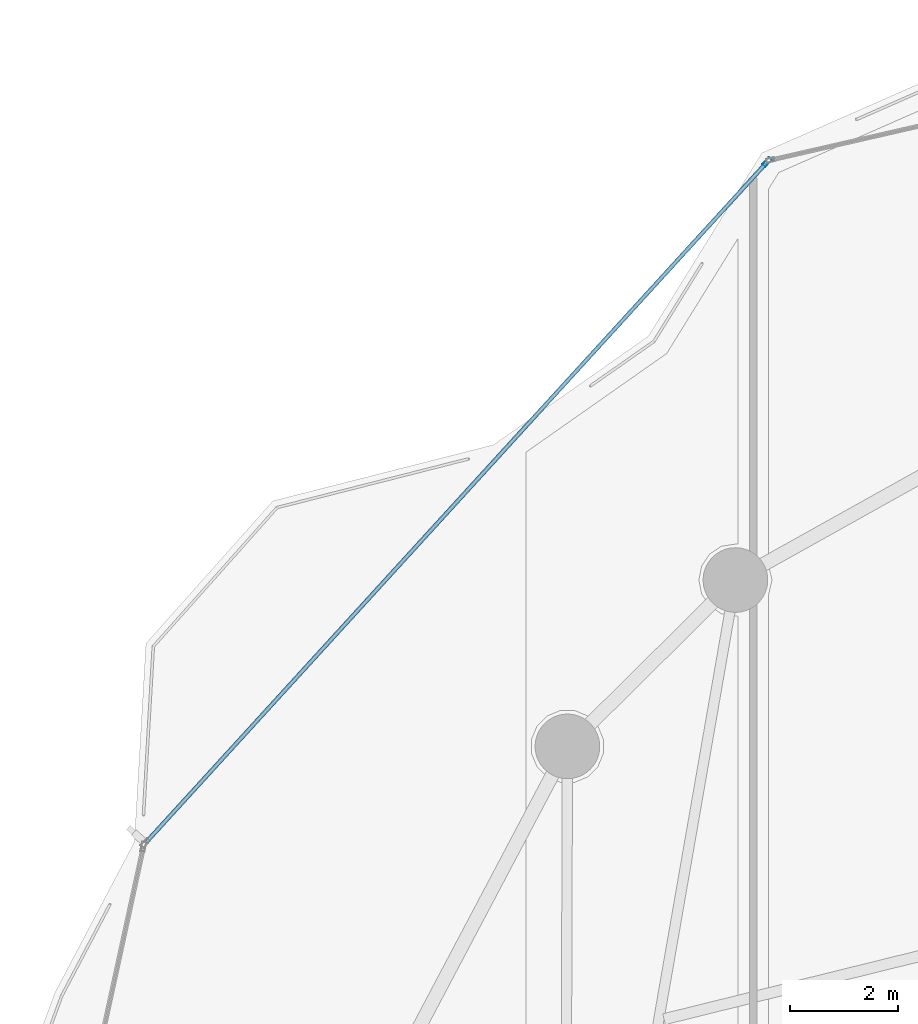
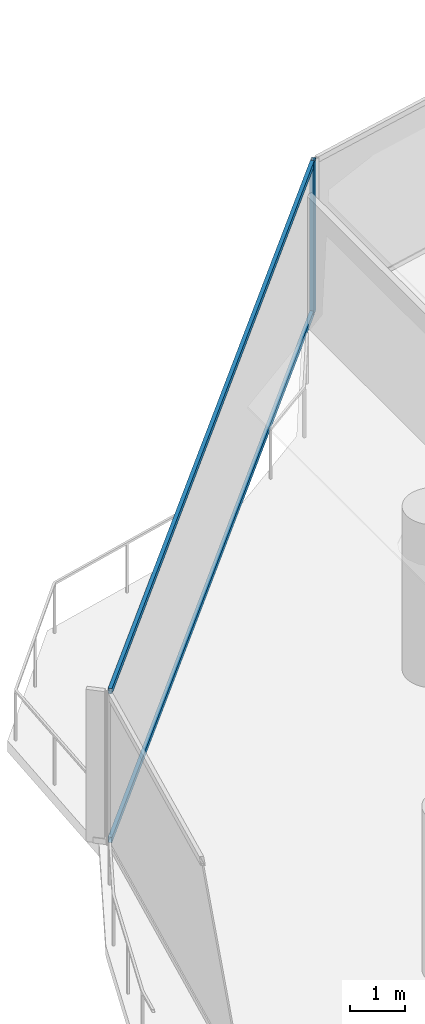
# One storey, part 18 of 34: 3 members, 1 element without a shape of its own.
"""IFC4 building model written with IfcOpenShell, lengths in metres."""

from ifc_helpers import new_model, si_unit, direction, frame, origin, origin_2d, place, context, subcontext, project, spatial, hollow_rectangle, extrude, material, layer, layer_set, material_profile, profile_set, type_object, element, aggregate, save


model = new_model("IFC4")

# Units and contexts
model_context = context("Model", 3, precision=1e-05, world=origin(), true_north=direction((0.0, 1.0)))
body_context = subcontext(model_context, "Body", "Model", "MODEL_VIEW")
ifc_project = project(units=[si_unit("LENGTHUNIT", "METRE"), si_unit("AREAUNIT", "SQUARE_METRE"), si_unit("VOLUMEUNIT", "CUBIC_METRE"), si_unit("PLANEANGLEUNIT", "RADIAN"), si_unit("MASSUNIT", "GRAM", prefix="KILO")], contexts=[model_context])

# Site, building, storey
site_placement = place(None, origin())
site = spatial("IfcSite", under=ifc_project, at=site_placement, CompositionType="ELEMENT")
building_placement = place(site_placement, origin())
building = spatial("IfcBuilding", under=site, at=building_placement, Name="Kazevale Care Tower and Concert Hall", CompositionType="ELEMENT")
storey_placement = place(building_placement, frame((0.0, 0.0, 171.0)))
storey = spatial("IfcBuildingStorey", under=building, at=storey_placement, Name="L45", CompositionType="ELEMENT", Elevation=171.0)

# Curtain wall, members
ifc_material_1 = material(Name="Aluminium 6063-T6 and Low-E Glass", Category="aluminium")
ifc_layer = layer(ifc_material_1, 0.179931640625)
ifc_layer_set = layer_set([ifc_layer], Name="Aluminium 6063-T6 and Low-E Glass")
curtain_wall_type = type_object("IfcCurtainWallType", Name="Convex Checkerboard Finned Curtain Wall CW-2", PredefinedType="NOTDEFINED", material=ifc_layer_set)
curtain_wall_placement = place(storey_placement, origin())
curtain_wall = element("IfcCurtainWall", 1, at=curtain_wall_placement, inside=storey, type_object=curtain_wall_type, Name="cw:L45:f14", PredefinedType="NOTDEFINED")
ifc_material_2 = material(Name="Aluminium 6063-T6", Category="aluminium")
ifc_material_profile_1 = material_profile(ifc_material_2, hollow_rectangle(XDim=0.080078125, YDim=0.179931640625, WallThickness=0.0048828125, at=origin_2d()), Name="ALU80x180x5")
ifc_profile_set_1 = profile_set([ifc_material_profile_1], Name="Aluminium 6063-T6")
member_type_1 = type_object("IfcMemberType", Name="CW-2 Mullion ALU80x180x5", PredefinedType="MULLION", material=ifc_profile_set_1)
member_1_placement = place(storey_placement, frame((25.757080078125, 62.340576171875, 0.0), z_axis=(0.0, 0.0, 1.0), x_axis=(-0.738491785899, 0.674262472751, 0.0)))
member_1 = element("IfcMember", 2, at=member_1_placement, type_object=member_type_1, Name="CW-2 mullion 2", PredefinedType="MULLION", context=body_context, shape_type="SweptSolid", body=[
    extrude(hollow_rectangle(XDim=0.080078125, YDim=0.179931640625, WallThickness=0.0048828125, at=origin_2d()), origin(), (0.0, 0.0, 1.0), 3.360107421875),
])
ifc_material_profile_2 = material_profile(ifc_material_2, hollow_rectangle(XDim=0.074951171875, YDim=0.1201171875, WallThickness=0.00390625, at=origin_2d()), Name="ALU75x120x4")
ifc_profile_set_2 = profile_set([ifc_material_profile_2], Name="Aluminium 6063-T6")
member_type_2 = type_object("IfcMemberType", Name="CW-2 Transom ALU75x120x4", PredefinedType="USERDEFINED", material=ifc_profile_set_2)
member_2_placement = place(storey_placement, frame((14.238037109375, 49.72412109375, 0.03759765625), z_axis=(0.674254759105, 0.738498828587, 0.0), x_axis=(-0.738498828587, 0.674254759105, 0.0)))
member_2 = element("IfcMember", 3, at=member_2_placement, type_object=member_type_2, Name="CW-2 transom 1.1", ObjectType="TRANSOM", PredefinedType="USERDEFINED", context=body_context, shape_type="SweptSolid", body=[
    extrude(hollow_rectangle(XDim=0.074951171875, YDim=0.1201171875, WallThickness=0.00390625, at=origin_2d()), origin(), (0.0, 0.0, 1.0), 17.0439453125),
])
member_3_placement = place(storey_placement, frame((14.238037109375, 49.72412109375, 3.322509765625), z_axis=(0.674254759105, 0.738498828587, 0.0), x_axis=(-0.738498828587, 0.674254759105, 0.0)))
member_3 = element("IfcMember", 4, at=member_3_placement, type_object=member_type_2, Name="CW-2 transom 1.2", ObjectType="TRANSOM", PredefinedType="USERDEFINED", context=body_context, shape_type="SweptSolid", body=[
    extrude(hollow_rectangle(XDim=0.074951171875, YDim=0.1201171875, WallThickness=0.00390625, at=origin_2d()), origin(), (0.0, 0.0, 1.0), 17.0439453125),
])
aggregate(curtain_wall, [member_1, member_2, member_3])

save(model, "model.ifc")
